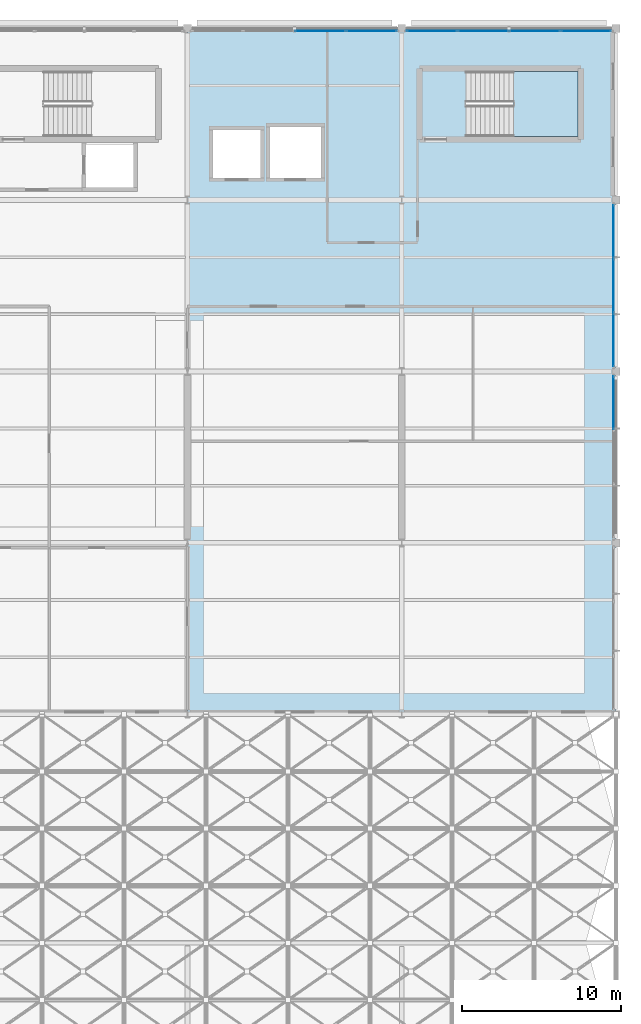
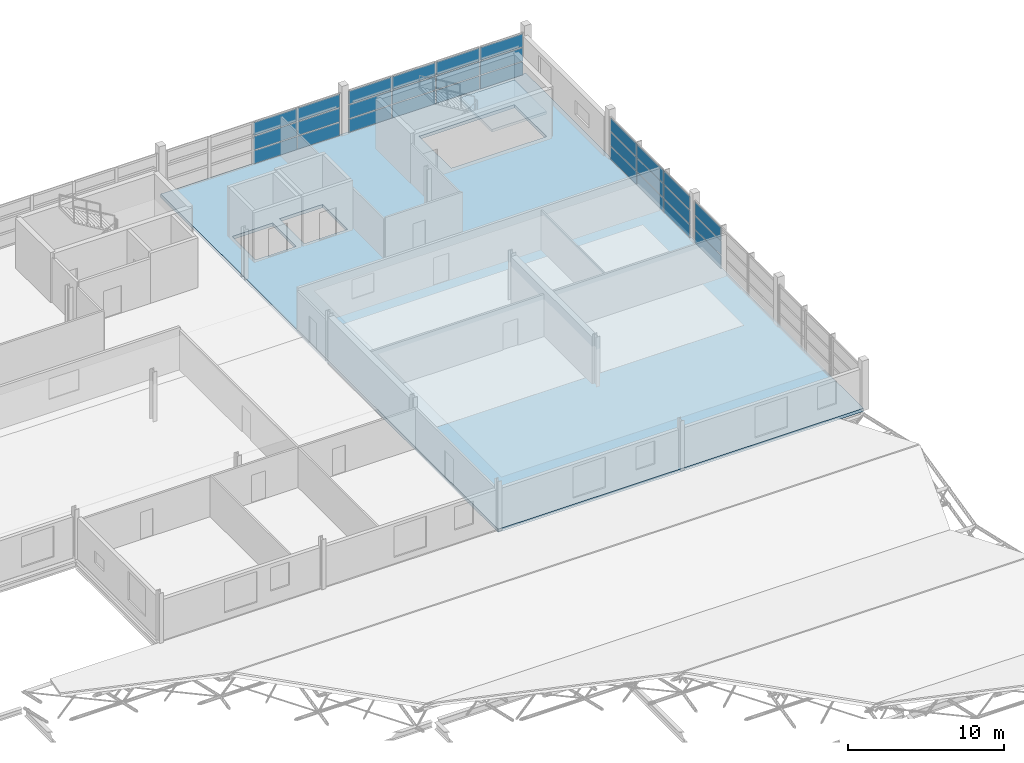
# One storey, part 72 of 110: 30 plates, 2 slabs, 5 elements without a shape of their own.
"""IFC4 building model written with IfcOpenShell, lengths in metres."""

import ifcopenshell
import ifcopenshell.guid

model = None  # the IFC model being written
_history = None  # IfcOwnerHistory: only IFC2X3 demands one
_inside = {}  # id of a spatial element -> (the spatial element, [elements in it])
_under = {}  # id of a project, library or spatial element -> (it, [spatial elements below it])
_declared = {}  # id of a project -> (the project, [libraries it declares])
_typed = {}  # id of a type object -> (the type object, [elements of that type])
_made_of = {}  # id of a material, layer set ... -> (it, [elements and type objects made of it])


def new_model(schema):
    """Start an empty IFC model of exactly this schema.

    Asked for "IFC4X3", IfcOpenShell would pick the latest addendum, in which some entities
    have other attributes; the version numbers below select the first issue.
    IFC2X3 requires an IfcOwnerHistory on every rooted entity: one is made here for all.
    """
    global model, _history
    if schema == "IFC4X3":
        model = ifcopenshell.file(schema_version=(4, 3, 0, 0))
    else:
        model = ifcopenshell.file(schema=schema)
    _inside.clear()
    _under.clear()
    _declared.clear()
    _typed.clear()
    _made_of.clear()
    _history = None
    if model.schema == "IFC2X3":
        org = make("IfcOrganization", Name="unknown")
        user = make(
            "IfcPersonAndOrganization",
            ThePerson=make("IfcPerson", FamilyName="unknown"),
            TheOrganization=org,
        )
        app = make(
            "IfcApplication",
            ApplicationDeveloper=org,
            Version="unknown",
            ApplicationFullName="unknown",
            ApplicationIdentifier="unknown",
        )
        _history = make(
            "IfcOwnerHistory",
            OwningUser=user,
            OwningApplication=app,
            ChangeAction="ADDED",
            CreationDate=0,
        )
    return model


def make(cls, **values):
    """One entity of the class cls with the attributes given. An attribute that is None is left unset."""
    return model.create_entity(
        cls, **{name: value for name, value in values.items() if value is not None}
    )


def rooted(cls, **values):
    """An entity with a GlobalId (a new one), such as an element, a storey or a relation."""
    return make(cls, GlobalId=ifcopenshell.guid.new(), OwnerHistory=_history, **values)


def si_unit(unit_type, name, prefix=None):
    """IfcSIUnit, for example si_unit("LENGTHUNIT", "METRE", prefix="MILLI")."""
    return make("IfcSIUnit", UnitType=unit_type, Prefix=prefix, Name=name)


def assignment(units):
    """IfcUnitAssignment: the units of a project."""
    return None if units is None else make("IfcUnitAssignment", Units=units)


def point(xyz):
    """IfcCartesianPoint."""
    return None if xyz is None else make("IfcCartesianPoint", Coordinates=xyz)


def direction(xyz):
    """IfcDirection."""
    return None if xyz is None else make("IfcDirection", DirectionRatios=xyz)


def frame(location, z_axis=None, x_axis=None):
    """IfcAxis2Placement3D, a coordinate frame: its origin and axes. An axis left out is left unset."""
    return make(
        "IfcAxis2Placement3D",
        Location=point(location),
        Axis=direction(z_axis),
        RefDirection=direction(x_axis),
    )


def frame_2d(location, x_axis=None):
    """IfcAxis2Placement2D, a coordinate frame in the plane: its origin and x axis."""
    return make(
        "IfcAxis2Placement2D", Location=point(location), RefDirection=direction(x_axis)
    )


def origin():
    """The frame at (0, 0, 0) with its axes left unset."""
    return frame((0.0, 0.0, 0.0))


def origin_2d():
    """The frame at (0, 0) in the plane with its x axis left unset."""
    return frame_2d((0.0, 0.0))


def place(relative_to, where):
    """IfcLocalPlacement: puts the frame where relative to a parent placement (None: the world)."""
    return make(
        "IfcLocalPlacement", PlacementRelTo=relative_to, RelativePlacement=where
    )


def context(
    kind, dimensions, precision=None, world=None, true_north=None, identifier=None
):
    """IfcGeometricRepresentationContext, for example the 3D "Model" context."""
    return make(
        "IfcGeometricRepresentationContext",
        ContextIdentifier=identifier,
        ContextType=kind,
        CoordinateSpaceDimension=dimensions,
        Precision=precision,
        WorldCoordinateSystem=world,
        TrueNorth=true_north,
    )


def subcontext(parent, identifier, kind, view, scale=None):
    """IfcGeometricRepresentationSubContext, for example "Body" below "Model"."""
    return make(
        "IfcGeometricRepresentationSubContext",
        ContextIdentifier=identifier,
        ContextType=kind,
        ParentContext=parent,
        TargetScale=scale,
        TargetView=view,
    )


def project(units=None, contexts=None):
    """IfcProject with its units and contexts."""
    return rooted(
        "IfcProject",
        Name="project",
        RepresentationContexts=contexts,
        UnitsInContext=assignment(units),
    )


def spatial(cls, under=None, at=None, **own):
    """A site, building, storey or space (cls), placed at a placement, below another one or the project."""
    s = rooted(cls, ObjectPlacement=at, **own)
    if under is not None:
        _under.setdefault(under.id(), (under, []))[1].append(s)
    return s


def polyline(points):
    """IfcPolyline through the points."""
    return make("IfcPolyline", Points=[point(p) for p in points])


def profile(cls, at=None, kind="AREA", **sizes):
    """A parametric profile (cls). Its sizes go by their IFC names, for example OverallWidth=200.0."""
    return make(cls, ProfileType=kind, Position=at, **sizes)


def rectangle(**sizes):
    """IfcRectangleProfileDef."""
    return profile("IfcRectangleProfileDef", **sizes)


def outline(outer, holes=None, kind="AREA"):
    """IfcArbitraryClosedProfileDef: a profile drawn as a closed curve; with holes, ...WithVoids."""
    if holes is None:
        return make("IfcArbitraryClosedProfileDef", ProfileType=kind, OuterCurve=outer)
    return make(
        "IfcArbitraryProfileDefWithVoids",
        ProfileType=kind,
        OuterCurve=outer,
        InnerCurves=holes,
    )


def extrude(swept, where, along, depth):
    """IfcExtrudedAreaSolid: the profile swept, set in the frame where, extruded along a direction by depth."""
    return make(
        "IfcExtrudedAreaSolid",
        SweptArea=swept,
        Position=where,
        ExtrudedDirection=direction(along),
        Depth=depth,
    )


def shape(context_of_items, identifier, shape_type, items):
    """IfcShapeRepresentation: the items that make up one representation, for example the "Body"."""
    return make(
        "IfcShapeRepresentation",
        ContextOfItems=context_of_items,
        RepresentationIdentifier=identifier,
        RepresentationType=shape_type,
        Items=items,
    )


def material(Name=None, Category=None):
    """IfcMaterial."""
    return make("IfcMaterial", Name=Name, Category=Category)


def layer(
    of_material, thickness, ventilated=None, Name=None, Category=None, Priority=None
):
    """IfcMaterialLayer: one layer of a wall or slab, of a material (None: an air gap)."""
    return make(
        "IfcMaterialLayer",
        Material=of_material,
        LayerThickness=thickness,
        IsVentilated=ventilated,
        Name=Name,
        Category=Category,
        Priority=Priority,
    )


def layer_set(layers, Name=None):
    """IfcMaterialLayerSet."""
    return make("IfcMaterialLayerSet", MaterialLayers=layers, LayerSetName=Name)


def made_of(thing, what):
    """Note that an element or type object is made of a material, layer set ...; save() writes the relation."""
    if what is not None:
        _made_of.setdefault(what.id(), (what, []))[1].append(thing)
    return thing


def type_object(cls, material=None, **own):
    """A type object (cls), such as IfcWallType, which elements share."""
    return made_of(rooted(cls, **own), material)


def element(
    cls,
    number,
    at=None,
    inside=None,
    cuts=None,
    type_object=None,
    material=None,
    context=None,
    identifier="Body",
    shape_type=None,
    held_by="IfcProductDefinitionShape",
    body=None,
    shapes=None,
    **own,
):
    """One element of the class cls, such as IfcWall. Its Tag is "e" and its number.

    at: its placement. inside: the storey or other place that contains it. cuts: it is an
    opening in that element (IfcRelVoidsElement). A single representation is given by context,
    identifier, shape_type and body (its items); several are given by shapes. held_by: the class
    of the entity that holds the representations. save() writes the other relations.
    """
    e = rooted(cls, Tag="e%d" % number, ObjectPlacement=at, **own)
    if body is not None:
        shapes = [shape(context, identifier, shape_type, body)]
    if shapes is not None:
        e.Representation = make(held_by, Representations=shapes)
    if inside is not None:
        _inside.setdefault(inside.id(), (inside, []))[1].append(e)
    if cuts is not None:
        rooted(
            "IfcRelVoidsElement", RelatingBuildingElement=cuts, RelatedOpeningElement=e
        )
    if type_object is not None:
        _typed.setdefault(type_object.id(), (type_object, []))[1].append(e)
    return made_of(e, material)


def aggregate(whole, parts):
    """IfcRelAggregates: a whole, such as a stair, and the parts it consists of."""
    return rooted("IfcRelAggregates", RelatingObject=whole, RelatedObjects=parts)


def save(model, path):
    """Write the relations noted so far, then the file.

    IfcRelAggregates (storeys below a building ...), IfcRelContainedInSpatialStructure (elements
    in a storey), IfcRelDefinesByType, IfcRelAssociatesMaterial and IfcRelDeclares: one each for
    every whole, place, type object, material and project.
    """
    for whole, parts in _under.values():
        aggregate(whole, parts)
    for where, things in _inside.values():
        rooted(
            "IfcRelContainedInSpatialStructure",
            RelatedElements=things,
            RelatingStructure=where,
        )
    for kind, things in _typed.values():
        rooted("IfcRelDefinesByType", RelatedObjects=things, RelatingType=kind)
    for what, things in _made_of.values():
        rooted("IfcRelAssociatesMaterial", RelatedObjects=things, RelatingMaterial=what)
    for by, libraries in _declared.values():
        rooted("IfcRelDeclares", RelatingContext=by, RelatedDefinitions=libraries)
    model.write(path)


model = new_model("IFC4")

# Units and contexts
model_context = context("Model", 3, precision=1e-05, world=origin(), true_north=direction((0.0, 1.0)))
body_context = subcontext(model_context, "Body", "Model", "MODEL_VIEW")
ifc_project = project(units=[si_unit("LENGTHUNIT", "METRE"), si_unit("AREAUNIT", "SQUARE_METRE"), si_unit("VOLUMEUNIT", "CUBIC_METRE"), si_unit("PLANEANGLEUNIT", "RADIAN"), si_unit("MASSUNIT", "GRAM", prefix="KILO")], contexts=[model_context])

# Site, building, storey
site_placement = place(None, origin())
site = spatial("IfcSite", under=ifc_project, at=site_placement, CompositionType="ELEMENT")
building_placement = place(site_placement, origin())
building = spatial("IfcBuilding", under=site, at=building_placement, Name="Tamarisk Ironworks Central Station", CompositionType="ELEMENT")
storey_placement = place(building_placement, frame((0.0, 0.0, 17.39990234375)))
storey = spatial("IfcBuildingStorey", under=building, at=storey_placement, Name="L03", CompositionType="ELEMENT", Elevation=17.39990234375)

# Curtain wall, plates
ifc_material_1 = material(Name="Anodized aluminium alloy 6063-T6", Category="aluminium")
ifc_layer_1 = layer(ifc_material_1, 0.179931640625)
ifc_layer_set_1 = layer_set([ifc_layer_1], Name="Anodized aluminium alloy 6063-T6")
curtain_wall_type_1 = type_object("IfcCurtainWallType", Name="CW-18", PredefinedType="USERDEFINED", material=ifc_layer_set_1)
curtain_wall_1_placement = place(storey_placement, origin())
curtain_wall_1 = element("IfcCurtainWall", 1, at=curtain_wall_1_placement, inside=storey, type_object=curtain_wall_type_1, Name="Operations L03 north facade curtain wall 153", ObjectType="GLAZED CURTAIN WALL", PredefinedType="USERDEFINED")
ifc_material_2 = material(Name="Laminated solar-control low-E glass", Category="glass")
ifc_layer_2 = layer(ifc_material_2, 0.028076171875)
ifc_layer_set_2 = layer_set([ifc_layer_2], Name="Laminated solar-control low-E glass")
plate_type = type_object("IfcPlateType", Name="PL-CWP28", PredefinedType="CURTAIN_PANEL", material=ifc_layer_set_2)
plate_1_placement = place(storey_placement, frame((161.37548828125, 122.25, 0.069091796875), z_axis=(0.0, 0.0, 1.0), x_axis=(1.0, 0.0, 0.0)))
plate_1 = element("IfcPlate", 2, at=plate_1_placement, type_object=plate_type, Name="CW18 panel 3.1", PredefinedType="CURTAIN_PANEL", context=body_context, shape_type="SweptSolid", body=[
    extrude(rectangle(XDim=3.18798828125, YDim=0.028076171875, at=origin_2d()), origin(), (0.0, 0.0, 1.0), 1.01953125),
])
plate_2_placement = place(storey_placement, frame((161.37548828125, 122.25, 1.15185546875), z_axis=(0.0, 0.0, 1.0), x_axis=(1.0, 0.0, 0.0)))
plate_2 = element("IfcPlate", 3, at=plate_2_placement, type_object=plate_type, Name="CW18 panel 3.2", PredefinedType="CURTAIN_PANEL", context=body_context, shape_type="SweptSolid", body=[
    extrude(rectangle(XDim=3.18798828125, YDim=0.028076171875, at=origin_2d()), origin(), (0.0, 0.0, 1.0), 1.056884765625),
])
plate_3_placement = place(storey_placement, frame((161.37548828125, 122.25, 2.271484375), z_axis=(0.0, 0.0, 1.0), x_axis=(1.0, 0.0, 0.0)))
plate_3 = element("IfcPlate", 4, at=plate_3_placement, type_object=plate_type, Name="CW18 panel 3.3", PredefinedType="CURTAIN_PANEL", context=body_context, shape_type="SweptSolid", body=[
    extrude(rectangle(XDim=3.18798828125, YDim=0.028076171875, at=origin_2d()), origin(), (0.0, 0.0, 1.0), 1.01953125),
])
plate_4_placement = place(storey_placement, frame((164.607666015625, 122.25, 0.069091796875), z_axis=(0.0, 0.0, 1.0), x_axis=(1.0, 0.0, 0.0)))
plate_4 = element("IfcPlate", 5, at=plate_4_placement, type_object=plate_type, Name="CW18 panel 4.1", PredefinedType="CURTAIN_PANEL", context=body_context, shape_type="SweptSolid", body=[
    extrude(rectangle(XDim=3.150390625, YDim=0.028076171875, at=origin_2d()), origin(), (0.0, 0.0, 1.0), 1.01953125),
])
plate_5_placement = place(storey_placement, frame((164.607666015625, 122.25, 1.15185546875), z_axis=(0.0, 0.0, 1.0), x_axis=(1.0, 0.0, 0.0)))
plate_5 = element("IfcPlate", 6, at=plate_5_placement, type_object=plate_type, Name="CW18 panel 4.2", PredefinedType="CURTAIN_PANEL", context=body_context, shape_type="SweptSolid", body=[
    extrude(rectangle(XDim=3.150390625, YDim=0.028076171875, at=origin_2d()), origin(), (0.0, 0.0, 1.0), 1.056884765625),
])
plate_6_placement = place(storey_placement, frame((164.607666015625, 122.25, 2.271484375), z_axis=(0.0, 0.0, 1.0), x_axis=(1.0, 0.0, 0.0)))
plate_6 = element("IfcPlate", 7, at=plate_6_placement, type_object=plate_type, Name="CW18 panel 4.3", PredefinedType="CURTAIN_PANEL", context=body_context, shape_type="SweptSolid", body=[
    extrude(rectangle(XDim=3.150390625, YDim=0.028076171875, at=origin_2d()), origin(), (0.0, 0.0, 1.0), 1.01953125),
])
aggregate(curtain_wall_1, [plate_1, plate_2, plate_3, plate_4, plate_5, plate_6])

curtain_wall_2_placement = place(storey_placement, origin())
curtain_wall_2 = element("IfcCurtainWall", 8, at=curtain_wall_2_placement, inside=storey, type_object=curtain_wall_type_1, Name="Operations L03 north facade curtain wall 166", ObjectType="GLAZED CURTAIN WALL", PredefinedType="USERDEFINED")
plate_7_placement = place(storey_placement, frame((168.392333984375, 122.25, 0.069091796875), z_axis=(0.0, 0.0, 1.0), x_axis=(1.0, 0.0, 0.0)))
plate_7 = element("IfcPlate", 9, at=plate_7_placement, type_object=plate_type, Name="CW18 panel 1.1", PredefinedType="CURTAIN_PANEL", context=body_context, shape_type="SweptSolid", body=[
    extrude(rectangle(XDim=3.150390625, YDim=0.028076171875, at=origin_2d()), origin(), (0.0, 0.0, 1.0), 1.01953125),
])
plate_8_placement = place(storey_placement, frame((168.392333984375, 122.25, 1.15185546875), z_axis=(0.0, 0.0, 1.0), x_axis=(1.0, 0.0, 0.0)))
plate_8 = element("IfcPlate", 10, at=plate_8_placement, type_object=plate_type, Name="CW18 panel 1.2", PredefinedType="CURTAIN_PANEL", context=body_context, shape_type="SweptSolid", body=[
    extrude(rectangle(XDim=3.150390625, YDim=0.028076171875, at=origin_2d()), origin(), (0.0, 0.0, 1.0), 1.056884765625),
])
plate_9_placement = place(storey_placement, frame((168.392333984375, 122.25, 2.271484375), z_axis=(0.0, 0.0, 1.0), x_axis=(1.0, 0.0, 0.0)))
plate_9 = element("IfcPlate", 11, at=plate_9_placement, type_object=plate_type, Name="CW18 panel 1.3", PredefinedType="CURTAIN_PANEL", context=body_context, shape_type="SweptSolid", body=[
    extrude(rectangle(XDim=3.150390625, YDim=0.028076171875, at=origin_2d()), origin(), (0.0, 0.0, 1.0), 1.01953125),
])
plate_10_placement = place(storey_placement, frame((171.62451171875, 122.25, 0.069091796875), z_axis=(0.0, 0.0, 1.0), x_axis=(1.0, 0.0, 0.0)))
plate_10 = element("IfcPlate", 12, at=plate_10_placement, type_object=plate_type, Name="CW18 panel 2.1", PredefinedType="CURTAIN_PANEL", context=body_context, shape_type="SweptSolid", body=[
    extrude(rectangle(XDim=3.18798828125, YDim=0.028076171875, at=origin_2d()), origin(), (0.0, 0.0, 1.0), 1.01953125),
])
plate_11_placement = place(storey_placement, frame((171.62451171875, 122.25, 1.15185546875), z_axis=(0.0, 0.0, 1.0), x_axis=(1.0, 0.0, 0.0)))
plate_11 = element("IfcPlate", 13, at=plate_11_placement, type_object=plate_type, Name="CW18 panel 2.2", PredefinedType="CURTAIN_PANEL", context=body_context, shape_type="SweptSolid", body=[
    extrude(rectangle(XDim=3.18798828125, YDim=0.028076171875, at=origin_2d()), origin(), (0.0, 0.0, 1.0), 1.056884765625),
])
plate_12_placement = place(storey_placement, frame((171.62451171875, 122.25, 2.271484375), z_axis=(0.0, 0.0, 1.0), x_axis=(1.0, 0.0, 0.0)))
plate_12 = element("IfcPlate", 14, at=plate_12_placement, type_object=plate_type, Name="CW18 panel 2.3", PredefinedType="CURTAIN_PANEL", context=body_context, shape_type="SweptSolid", body=[
    extrude(rectangle(XDim=3.18798828125, YDim=0.028076171875, at=origin_2d()), origin(), (0.0, 0.0, 1.0), 1.01953125),
])
plate_13_placement = place(storey_placement, frame((174.87548828125, 122.25, 0.069091796875), z_axis=(0.0, 0.0, 1.0), x_axis=(1.0, 0.0, 0.0)))
plate_13 = element("IfcPlate", 15, at=plate_13_placement, type_object=plate_type, Name="CW18 panel 3.1", PredefinedType="CURTAIN_PANEL", context=body_context, shape_type="SweptSolid", body=[
    extrude(rectangle(XDim=3.18798828125, YDim=0.028076171875, at=origin_2d()), origin(), (0.0, 0.0, 1.0), 1.01953125),
])
plate_14_placement = place(storey_placement, frame((174.87548828125, 122.25, 1.15185546875), z_axis=(0.0, 0.0, 1.0), x_axis=(1.0, 0.0, 0.0)))
plate_14 = element("IfcPlate", 16, at=plate_14_placement, type_object=plate_type, Name="CW18 panel 3.2", PredefinedType="CURTAIN_PANEL", context=body_context, shape_type="SweptSolid", body=[
    extrude(rectangle(XDim=3.18798828125, YDim=0.028076171875, at=origin_2d()), origin(), (0.0, 0.0, 1.0), 1.056884765625),
])
plate_15_placement = place(storey_placement, frame((174.87548828125, 122.25, 2.271484375), z_axis=(0.0, 0.0, 1.0), x_axis=(1.0, 0.0, 0.0)))
plate_15 = element("IfcPlate", 17, at=plate_15_placement, type_object=plate_type, Name="CW18 panel 3.3", PredefinedType="CURTAIN_PANEL", context=body_context, shape_type="SweptSolid", body=[
    extrude(rectangle(XDim=3.18798828125, YDim=0.028076171875, at=origin_2d()), origin(), (0.0, 0.0, 1.0), 1.01953125),
])
plate_16_placement = place(storey_placement, frame((178.107666015625, 122.25, 0.069091796875), z_axis=(0.0, 0.0, 1.0), x_axis=(1.0, 0.0, 0.0)))
plate_16 = element("IfcPlate", 18, at=plate_16_placement, type_object=plate_type, Name="CW18 panel 4.1", PredefinedType="CURTAIN_PANEL", context=body_context, shape_type="SweptSolid", body=[
    extrude(rectangle(XDim=3.150390625, YDim=0.028076171875, at=origin_2d()), origin(), (0.0, 0.0, 1.0), 1.01953125),
])
plate_17_placement = place(storey_placement, frame((178.107666015625, 122.25, 1.15185546875), z_axis=(0.0, 0.0, 1.0), x_axis=(1.0, 0.0, 0.0)))
plate_17 = element("IfcPlate", 19, at=plate_17_placement, type_object=plate_type, Name="CW18 panel 4.2", PredefinedType="CURTAIN_PANEL", context=body_context, shape_type="SweptSolid", body=[
    extrude(rectangle(XDim=3.150390625, YDim=0.028076171875, at=origin_2d()), origin(), (0.0, 0.0, 1.0), 1.056884765625),
])
plate_18_placement = place(storey_placement, frame((178.107666015625, 122.25, 2.271484375), z_axis=(0.0, 0.0, 1.0), x_axis=(1.0, 0.0, 0.0)))
plate_18 = element("IfcPlate", 20, at=plate_18_placement, type_object=plate_type, Name="CW18 panel 4.3", PredefinedType="CURTAIN_PANEL", context=body_context, shape_type="SweptSolid", body=[
    extrude(rectangle(XDim=3.150390625, YDim=0.028076171875, at=origin_2d()), origin(), (0.0, 0.0, 1.0), 1.01953125),
])
aggregate(curtain_wall_2, [plate_7, plate_8, plate_9, plate_10, plate_11, plate_12, plate_13, plate_14, plate_15, plate_16, plate_17, plate_18])

ifc_layer_3 = layer(ifc_material_1, 0.179931640625)
ifc_layer_set_3 = layer_set([ifc_layer_3], Name="Anodized aluminium alloy 6063-T6")
curtain_wall_type_2 = type_object("IfcCurtainWallType", Name="CW-21", PredefinedType="USERDEFINED", material=ifc_layer_set_3)
curtain_wall_3_placement = place(storey_placement, origin())
curtain_wall_3 = element("IfcCurtainWall", 21, at=curtain_wall_3_placement, inside=storey, type_object=curtain_wall_type_2, Name="Operations L03 east facade curtain wall 090", ObjectType="GLAZED CURTAIN WALL", PredefinedType="USERDEFINED")
plate_19_placement = place(storey_placement, frame((179.85009765625, 98.81591796875, 0.069091796875), z_axis=(0.0, 0.0, 1.0), x_axis=(0.0, 1.0, 0.0)))
plate_19 = element("IfcPlate", 22, at=plate_19_placement, type_object=plate_type, Name="CW21 panel 3.1", PredefinedType="CURTAIN_PANEL", context=body_context, shape_type="SweptSolid", body=[
    extrude(rectangle(XDim=3.334228515625, YDim=0.028076171875, at=origin_2d()), origin(), (0.0, 0.0, 1.0), 1.01953125),
])
plate_20_placement = place(storey_placement, frame((179.85009765625, 98.81591796875, 1.15185546875), z_axis=(0.0, 0.0, 1.0), x_axis=(0.0, 1.0, 0.0)))
plate_20 = element("IfcPlate", 23, at=plate_20_placement, type_object=plate_type, Name="CW21 panel 3.2", PredefinedType="CURTAIN_PANEL", context=body_context, shape_type="SweptSolid", body=[
    extrude(rectangle(XDim=3.334228515625, YDim=0.028076171875, at=origin_2d()), origin(), (0.0, 0.0, 1.0), 1.056884765625),
])
plate_21_placement = place(storey_placement, frame((179.85009765625, 98.81591796875, 2.271484375), z_axis=(0.0, 0.0, 1.0), x_axis=(0.0, 1.0, 0.0)))
plate_21 = element("IfcPlate", 24, at=plate_21_placement, type_object=plate_type, Name="CW21 panel 3.3", PredefinedType="CURTAIN_PANEL", context=body_context, shape_type="SweptSolid", body=[
    extrude(rectangle(XDim=3.334228515625, YDim=0.028076171875, at=origin_2d()), origin(), (0.0, 0.0, 1.0), 1.01953125),
])
aggregate(curtain_wall_3, [plate_19, plate_20, plate_21])

curtain_wall_4_placement = place(storey_placement, origin())
curtain_wall_4 = element("IfcCurtainWall", 25, at=curtain_wall_4_placement, inside=storey, type_object=curtain_wall_type_2, Name="Operations L03 east facade curtain wall 100", ObjectType="GLAZED CURTAIN WALL", PredefinedType="USERDEFINED")
plate_22_placement = place(storey_placement, frame((179.85009765625, 102.7841796875, 0.069091796875), z_axis=(0.0, 0.0, 1.0), x_axis=(0.0, 1.0, 0.0)))
plate_22 = element("IfcPlate", 26, at=plate_22_placement, type_object=plate_type, Name="CW21 panel 1.1", PredefinedType="CURTAIN_PANEL", context=body_context, shape_type="SweptSolid", body=[
    extrude(rectangle(XDim=3.334228515625, YDim=0.028076171875, at=origin_2d()), origin(), (0.0, 0.0, 1.0), 1.01953125),
])
plate_23_placement = place(storey_placement, frame((179.85009765625, 102.7841796875, 1.15185546875), z_axis=(0.0, 0.0, 1.0), x_axis=(0.0, 1.0, 0.0)))
plate_23 = element("IfcPlate", 27, at=plate_23_placement, type_object=plate_type, Name="CW21 panel 1.2", PredefinedType="CURTAIN_PANEL", context=body_context, shape_type="SweptSolid", body=[
    extrude(rectangle(XDim=3.334228515625, YDim=0.028076171875, at=origin_2d()), origin(), (0.0, 0.0, 1.0), 1.056884765625),
])
plate_24_placement = place(storey_placement, frame((179.85009765625, 102.7841796875, 2.271484375), z_axis=(0.0, 0.0, 1.0), x_axis=(0.0, 1.0, 0.0)))
plate_24 = element("IfcPlate", 28, at=plate_24_placement, type_object=plate_type, Name="CW21 panel 1.3", PredefinedType="CURTAIN_PANEL", context=body_context, shape_type="SweptSolid", body=[
    extrude(rectangle(XDim=3.334228515625, YDim=0.028076171875, at=origin_2d()), origin(), (0.0, 0.0, 1.0), 1.01953125),
])
plate_25_placement = place(storey_placement, frame((179.85009765625, 106.199951171875, 0.069091796875), z_axis=(0.0, 0.0, 1.0), x_axis=(0.0, 1.0, 0.0)))
plate_25 = element("IfcPlate", 29, at=plate_25_placement, type_object=plate_type, Name="CW21 panel 2.1", PredefinedType="CURTAIN_PANEL", context=body_context, shape_type="SweptSolid", body=[
    extrude(rectangle(XDim=3.37158203125, YDim=0.028076171875, at=origin_2d()), origin(), (0.0, 0.0, 1.0), 1.01953125),
])
plate_26_placement = place(storey_placement, frame((179.85009765625, 106.199951171875, 1.15185546875), z_axis=(0.0, 0.0, 1.0), x_axis=(0.0, 1.0, 0.0)))
plate_26 = element("IfcPlate", 30, at=plate_26_placement, type_object=plate_type, Name="CW21 panel 2.2", PredefinedType="CURTAIN_PANEL", context=body_context, shape_type="SweptSolid", body=[
    extrude(rectangle(XDim=3.37158203125, YDim=0.028076171875, at=origin_2d()), origin(), (0.0, 0.0, 1.0), 1.056884765625),
])
plate_27_placement = place(storey_placement, frame((179.85009765625, 106.199951171875, 2.271484375), z_axis=(0.0, 0.0, 1.0), x_axis=(0.0, 1.0, 0.0)))
plate_27 = element("IfcPlate", 31, at=plate_27_placement, type_object=plate_type, Name="CW21 panel 2.3", PredefinedType="CURTAIN_PANEL", context=body_context, shape_type="SweptSolid", body=[
    extrude(rectangle(XDim=3.37158203125, YDim=0.028076171875, at=origin_2d()), origin(), (0.0, 0.0, 1.0), 1.01953125),
])
plate_28_placement = place(storey_placement, frame((179.85009765625, 109.615966796875, 0.069091796875), z_axis=(0.0, 0.0, 1.0), x_axis=(0.0, 1.0, 0.0)))
plate_28 = element("IfcPlate", 32, at=plate_28_placement, type_object=plate_type, Name="CW21 panel 3.1", PredefinedType="CURTAIN_PANEL", context=body_context, shape_type="SweptSolid", body=[
    extrude(rectangle(XDim=3.334228515625, YDim=0.028076171875, at=origin_2d()), origin(), (0.0, 0.0, 1.0), 1.01953125),
])
plate_29_placement = place(storey_placement, frame((179.85009765625, 109.615966796875, 1.15185546875), z_axis=(0.0, 0.0, 1.0), x_axis=(0.0, 1.0, 0.0)))
plate_29 = element("IfcPlate", 33, at=plate_29_placement, type_object=plate_type, Name="CW21 panel 3.2", PredefinedType="CURTAIN_PANEL", context=body_context, shape_type="SweptSolid", body=[
    extrude(rectangle(XDim=3.334228515625, YDim=0.028076171875, at=origin_2d()), origin(), (0.0, 0.0, 1.0), 1.056884765625),
])
plate_30_placement = place(storey_placement, frame((179.85009765625, 109.615966796875, 2.271484375), z_axis=(0.0, 0.0, 1.0), x_axis=(0.0, 1.0, 0.0)))
plate_30 = element("IfcPlate", 34, at=plate_30_placement, type_object=plate_type, Name="CW21 panel 3.3", PredefinedType="CURTAIN_PANEL", context=body_context, shape_type="SweptSolid", body=[
    extrude(rectangle(XDim=3.334228515625, YDim=0.028076171875, at=origin_2d()), origin(), (0.0, 0.0, 1.0), 1.01953125),
])
aggregate(curtain_wall_4, [plate_22, plate_23, plate_24, plate_25, plate_26, plate_27, plate_28, plate_29, plate_30])

# Slab
ifc_material_3 = material(Name="Concrete C35/45", Category="concrete")
ifc_layer_4 = layer(ifc_material_3, 0.25)
ifc_layer_set_4 = layer_set([ifc_layer_4], Name="Concrete C35/45")
slab_type_1 = type_object("IfcSlabType", Name="SL-FL250", PredefinedType="FLOOR", material=ifc_layer_set_4)
slab_1_placement = place(storey_placement, frame((0.0, 0.0, -0.25)))
element("IfcSlab", 35, at=slab_1_placement, inside=storey, type_object=slab_type_1, Name="L03 Signalling and Control Floor Slab V5-NE", PredefinedType="FLOOR", context=body_context, shape_type="SweptSolid", body=[
    extrude(outline(polyline([(153.0, 79.199951171875), (180.0, 79.199951171875), (180.0, 122.39990234375), (153.0, 122.39990234375), (153.0, 79.199951171875)]), holes=[polyline([(170.550048828125, 115.60009765625), (177.60009765625, 115.60009765625), (177.60009765625, 119.699951171875), (170.550048828125, 119.699951171875), (170.550048828125, 115.60009765625)]), polyline([(154.60009765625, 113.0), (157.60009765625, 113.0), (157.60009765625, 116.0), (154.60009765625, 116.0), (154.60009765625, 113.0)]), polyline([(158.199951171875, 113.0), (161.39990234375, 113.0), (161.39990234375, 116.199951171875), (158.199951171875, 116.199951171875), (158.199951171875, 113.0)])]), origin(), (0.0, 0.0, 1.0), 0.25),
])

# Stair, slab
stair_type = type_object("IfcStairType", Name="ST-CORE-A", PredefinedType="HALF_TURN_STAIR", material=ifc_material_3)
stair_placement = place(storey_placement, origin())
stair = element("IfcStair", 36, at=stair_placement, inside=storey, type_object=stair_type, Name="L03 East Operations Exit Stair Core 2", PredefinedType="HALF_TURN_STAIR")
ifc_layer_5 = layer(ifc_material_3, 0.215087890625)
ifc_layer_set_5 = layer_set([ifc_layer_5], Name="Concrete C35/45")
slab_type_2 = type_object("IfcSlabType", Name="SL-LD220", PredefinedType="LANDING", material=ifc_layer_set_5)
slab_2_placement = place(storey_placement, frame((0.0, 0.0, 1.75)))
slab_2 = element("IfcSlab", 37, at=slab_2_placement, type_object=slab_type_2, Name="ST-C2 landing 1", PredefinedType="LANDING", context=body_context, shape_type="SweptSolid", body=[
    extrude(outline(polyline([(173.550048828125, 115.60009765625), (177.60009765625, 115.60009765625), (177.60009765625, 119.699951171875), (173.550048828125, 119.699951171875), (173.550048828125, 115.60009765625)])), origin(), (0.0, 0.0, 1.0), 0.2001953125),
])
aggregate(stair, [slab_2])

save(model, "model.ifc")
